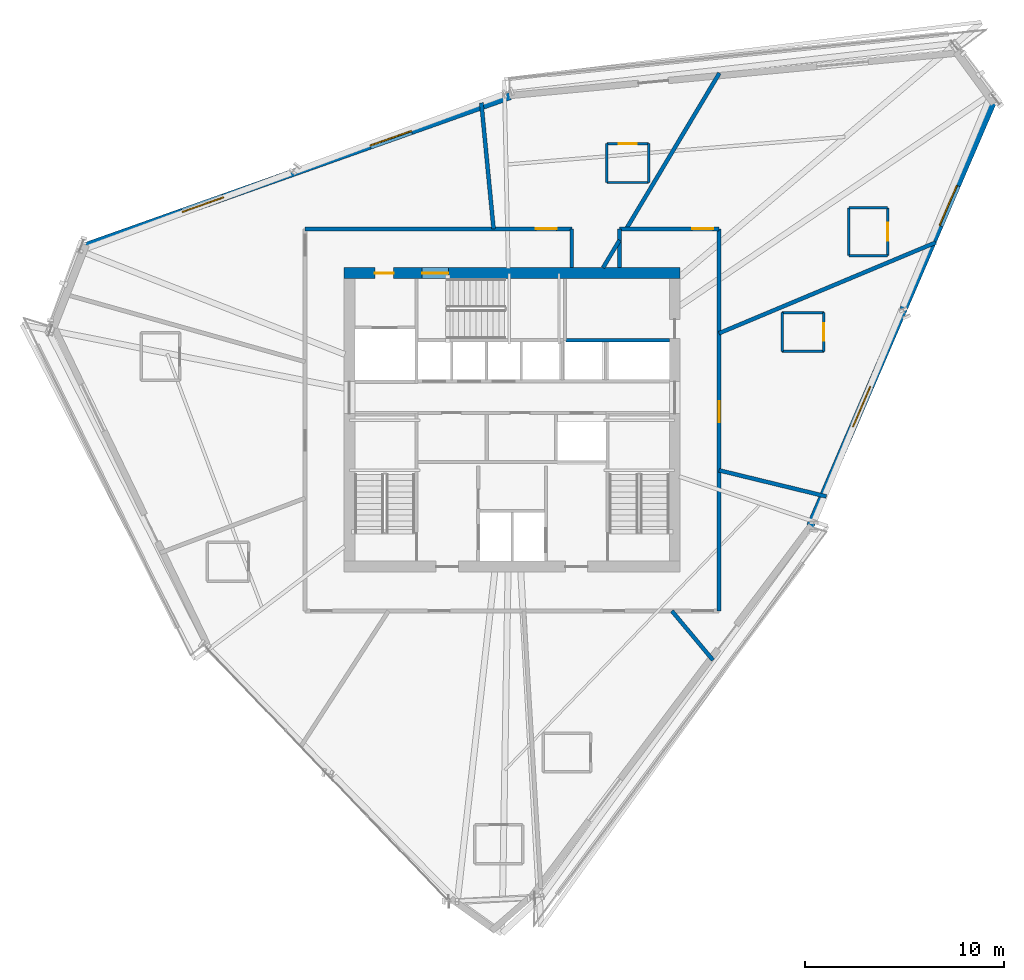
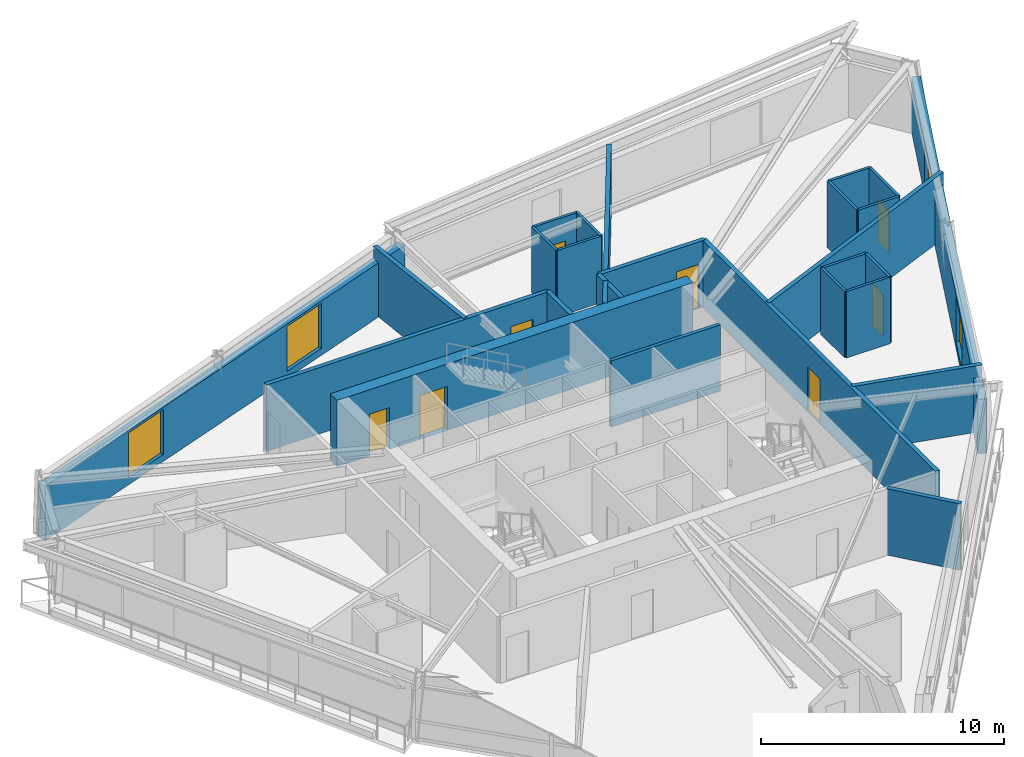
# One storey, part 10 of 14: 27 walls, 8 doors, 4 windows, 12 openings.
"""IFC4 building model written with IfcOpenShell, lengths in metres."""

from ifc_helpers import new_model, si_unit, direction, frame, frame_2d, origin, place, context, subcontext, project, spatial, rectangle, extrude, source, transform, mapped, material, layer, layer_set, type_object, type_shapes, element, fill, save


model = new_model("IFC4")

# Units and contexts
model_context = context("Model", 3, precision=1e-05, world=origin(), true_north=direction((0.0, 1.0)))
body_context = subcontext(model_context, "Body", "Model", "MODEL_VIEW")
ifc_project = project(units=[si_unit("LENGTHUNIT", "METRE"), si_unit("AREAUNIT", "SQUARE_METRE"), si_unit("VOLUMEUNIT", "CUBIC_METRE"), si_unit("PLANEANGLEUNIT", "RADIAN"), si_unit("MASSUNIT", "GRAM", prefix="KILO")], contexts=[model_context])

# Site, building, storey
site_placement = place(None, origin())
site = spatial("IfcSite", under=ifc_project, at=site_placement, CompositionType="ELEMENT")
building_placement = place(site_placement, origin())
building = spatial("IfcBuilding", under=site, at=building_placement, Name="Olszyna Solenne Hotel", CompositionType="ELEMENT")
storey_placement = place(building_placement, frame((0.0, 0.0, 182.10009765625)))
storey = spatial("IfcBuildingStorey", under=building, at=storey_placement, Name="L48", CompositionType="ELEMENT", Elevation=182.10009765625)

# Wall, openings, doors
ifc_material_1 = material(Name="Concrete C50/60", Category="concrete")
ifc_layer_1 = layer(ifc_material_1, 0.550048828125, Name="Concrete C50/60")
ifc_layer_set_1 = layer_set([ifc_layer_1], Name="Concrete C50/60")
wall_type_1 = type_object("IfcWallType", Name="WL-CR550", PredefinedType="SHEAR", material=ifc_layer_set_1)
wall_1_placement = place(storey_placement, frame((29.550048828125, 33.97509765625, 0.0), z_axis=(0.0, 0.0, 1.0), x_axis=(1.0, 0.0, 0.0)))
wall_1 = element("IfcWall", 1, at=wall_1_placement, inside=storey, type_object=wall_type_1, Name="Core shear wall WL-CR550 CRW-L48-N", PredefinedType="SHEAR", context=body_context, shape_type="SweptSolid", body=[
    extrude(rectangle(XDim=16.89990234375, YDim=0.550048828125, at=frame_2d((8.449951171875, 0.0))), origin(), (0.0, 0.0, 1.0), 3.329833984375),
])
opening_1_placement = place(wall_1_placement, frame((1.550048828125, 0.0, 0.0)))
opening_1 = element("IfcOpeningElement", 2, at=opening_1_placement, cuts=wall_1, Name="Opening SVD-L48-01", PredefinedType="OPENING", context=body_context, shape_type="SweptSolid", body=[
    extrude(rectangle(XDim=0.949951171875, YDim=2.10009765625, at=frame_2d((0.47509765625, 1.050048828125))), frame((0.0, 0.28515625, 0.0), z_axis=(0.0, -1.0, 0.0), x_axis=(1.0, 0.0, 0.0)), (0.0, 0.0, 1.0), 0.570068359375),
])
opening_2_placement = place(wall_1_placement, frame((3.929931640625, 0.0, 0.0)))
opening_2 = element("IfcOpeningElement", 3, at=opening_2_placement, cuts=wall_1, Name="Opening STD-L48-03", PredefinedType="OPENING", context=body_context, shape_type="SweptSolid", body=[
    extrude(rectangle(XDim=1.320068359375, YDim=2.199951171875, at=frame_2d((0.66015625, 1.10009765625))), frame((0.0, 0.28515625, 0.0), z_axis=(0.0, -1.0, 0.0), x_axis=(1.0, 0.0, 0.0)), (0.0, 0.0, 1.0), 0.570068359375),
])
ifc_material_2 = material(Name="Steel S355J2", Category="steel")
door_type_1 = type_object("IfcDoorType", Name="DR-ST1", OperationType="NOTDEFINED", PredefinedType="DOOR", material=ifc_material_2)
shared_shape_1 = source(origin(), body_context, "Body", "SweptSolid", [
    extrude(rectangle(XDim=1.320068359375, YDim=2.199951171875, at=frame_2d((0.66015625, 1.10009765625))), frame((0.0, 0.02490234375, 0.0), z_axis=(0.0, -1.0, 0.0), x_axis=(1.0, 0.0, 0.0)), (0.0, 0.0, 1.0), 0.050048828125),
])
type_shapes(door_type_1, [shared_shape_1])
door_1_placement = place(opening_2_placement, origin())
door_1 = element("IfcDoor", 4, at=door_1_placement, inside=storey, type_object=door_type_1, Name="Pressurised exit stair ST3 fire door STD-L48-03", OperationType="SINGLE_SWING_RIGHT", OverallHeight=2.199951171875, OverallWidth=1.320068359375, PredefinedType="DOOR", context=body_context, shape_type="MappedRepresentation", body=[
    mapped(shared_shape_1, transform((0.0, 0.0, 0.0), x_axis=(1.0, 0.0, 0.0), y_axis=(0.0, 1.0, 0.0), z_axis=(0.0, 0.0, 1.0), scale=1.0)),
])
fill(opening_2, door_1)
door_type_2 = type_object("IfcDoorType", Name="DR-SV1", OperationType="NOTDEFINED", PredefinedType="DOOR", material=ifc_material_2)
shared_shape_2 = source(origin(), body_context, "Body", "SweptSolid", [
    extrude(rectangle(XDim=0.949951171875, YDim=2.10009765625, at=frame_2d((0.47509765625, 1.050048828125))), frame((0.0, 0.02490234375, 0.0), z_axis=(0.0, -1.0, 0.0), x_axis=(1.0, 0.0, 0.0)), (0.0, 0.0, 1.0), 0.050048828125),
])
type_shapes(door_type_2, [shared_shape_2])
door_2_placement = place(opening_1_placement, origin())
door_2 = element("IfcDoor", 5, at=door_2_placement, inside=storey, type_object=door_type_2, Name="Service lift lobby fire door SVD-L48-01", OperationType="SINGLE_SWING_LEFT", OverallHeight=2.10009765625, OverallWidth=0.949951171875, PredefinedType="DOOR", context=body_context, shape_type="MappedRepresentation", body=[
    mapped(shared_shape_2, transform((0.0, 0.0, 0.0), x_axis=(1.0, 0.0, 0.0), y_axis=(0.0, 1.0, 0.0), z_axis=(0.0, 0.0, 1.0), scale=1.0)),
])
fill(opening_1, door_2)

# Wall, openings, windows
ifc_material_3 = material(Name="Terracotta cladding on precast concrete C45/55", Category="masonry")
ifc_layer_2 = layer(ifc_material_3, 0.3798828125, Name="Terracotta cladding on precast concrete C45/55")
ifc_layer_set_2 = layer_set([ifc_layer_2], Name="Terracotta cladding on precast concrete C45/55")
wall_type_2 = type_object("IfcWallType", Name="WL-EX380", PredefinedType="SOLIDWALL", material=ifc_layer_set_2)
wall_2_placement = place(storey_placement, frame((16.462890625, 35.293212890625, 0.0), z_axis=(0.0, 0.0, 1.0), x_axis=(0.94274891149, 0.33350335813, 0.0)))
wall_2 = element("IfcWall", 6, at=wall_2_placement, inside=storey, type_object=wall_type_2, Name="Exterior terracotta-precast frame wall WL-EX380 EW-L48-07", PredefinedType="SOLIDWALL", context=body_context, shape_type="SweptSolid", body=[
    extrude(rectangle(XDim=22.743896484375, YDim=0.3798828125, at=frame_2d((11.3720703125, 0.0))), origin(), (0.0, 0.0, 1.0), 2.721923828125),
])
opening_3_placement = place(wall_2_placement, frame((5.26806640625, 0.0, 0.35205078125)))
opening_3 = element("IfcOpeningElement", 7, at=opening_3_placement, cuts=wall_2, Name="Opening WN-L48-303", PredefinedType="OPENING", context=body_context, shape_type="SweptSolid", body=[
    extrude(rectangle(XDim=2.199951171875, YDim=2.25, at=frame_2d((1.10009765625, 1.125))), frame((0.0, 0.199951171875, 0.0), z_axis=(0.0, -1.0, 0.0), x_axis=(1.0, 0.0, 0.0)), (0.0, 0.0, 1.0), 0.39990234375),
])
opening_4_placement = place(wall_2_placement, frame((15.27587890625, 0.0, 0.35205078125)))
opening_4 = element("IfcOpeningElement", 8, at=opening_4_placement, cuts=wall_2, Name="Opening WN-L48-304", PredefinedType="OPENING", context=body_context, shape_type="SweptSolid", body=[
    extrude(rectangle(XDim=2.199951171875, YDim=2.25, at=frame_2d((1.10009765625, 1.125))), frame((0.0, 0.199951171875, 0.0), z_axis=(0.0, -1.0, 0.0), x_axis=(1.0, 0.0, 0.0)), (0.0, 0.0, 1.0), 0.39990234375),
])
ifc_material_4 = material(Name="Low-E triple glazing", Category="glass")
window_type = type_object("IfcWindowType", Name="WN-HT2", PartitioningType="SINGLE_PANEL", PredefinedType="WINDOW", material=ifc_material_4)
shared_shape_3 = source(origin(), body_context, "Body", "SweptSolid", [
    extrude(rectangle(XDim=2.199951171875, YDim=2.25, at=frame_2d((1.10009765625, 1.125))), frame((0.0, 0.030029296875, 0.0), z_axis=(0.0, -1.0, 0.0), x_axis=(1.0, 0.0, 0.0)), (0.0, 0.0, 1.0), 0.06005859375),
])
type_shapes(window_type, [shared_shape_3])
window_1_placement = place(opening_3_placement, origin())
window_1 = element("IfcWindow", 9, at=window_1_placement, inside=storey, type_object=window_type, Name="Exterior facade window WN-HT2 WN-L48-303", OverallHeight=2.25, OverallWidth=2.199951171875, PartitioningType="SINGLE_PANEL", PredefinedType="WINDOW", context=body_context, shape_type="MappedRepresentation", body=[
    mapped(shared_shape_3, transform((0.0, 0.0, 0.0), x_axis=(1.0, 0.0, 0.0), y_axis=(0.0, 1.0, 0.0), z_axis=(0.0, 0.0, 1.0), scale=1.0)),
])
fill(opening_3, window_1)
window_2_placement = place(opening_4_placement, origin())
window_2 = element("IfcWindow", 10, at=window_2_placement, inside=storey, type_object=window_type, Name="Exterior facade window WN-HT2 WN-L48-304", OverallHeight=2.25, OverallWidth=2.199951171875, PartitioningType="SINGLE_PANEL", PredefinedType="WINDOW", context=body_context, shape_type="MappedRepresentation", body=[
    mapped(shared_shape_3, transform((0.0, 0.0, 0.0), x_axis=(1.0, 0.0, 0.0), y_axis=(0.0, 1.0, 0.0), z_axis=(0.0, 0.0, 1.0), scale=1.0)),
])
fill(opening_4, window_2)

wall_3_placement = place(storey_placement, frame((62.205322265625, 42.687744140625, 0.0), z_axis=(0.0, 0.0, 1.0), x_axis=(-0.395471845497, -0.918478099586, 0.0)))
wall_3 = element("IfcWall", 11, at=wall_3_placement, inside=storey, type_object=wall_type_2, Name="Exterior terracotta-precast frame wall WL-EX380 EW-L48-10", PredefinedType="SOLIDWALL", context=body_context, shape_type="SweptSolid", body=[
    extrude(rectangle(XDim=23.31640625, YDim=0.3798828125, at=frame_2d((11.658203125, 0.0))), origin(), (0.0, 0.0, 1.0), 2.721923828125),
])
opening_5_placement = place(wall_3_placement, frame((4.678955078125, 0.0, 0.35205078125)))
opening_5 = element("IfcOpeningElement", 12, at=opening_5_placement, cuts=wall_3, Name="Opening WN-L48-306", PredefinedType="OPENING", context=body_context, shape_type="SweptSolid", body=[
    extrude(rectangle(XDim=2.199951171875, YDim=2.25, at=frame_2d((1.10009765625, 1.125))), frame((0.0, 0.199951171875, 0.0), z_axis=(0.0, -1.0, 0.0), x_axis=(1.0, 0.0, 0.0)), (0.0, 0.0, 1.0), 0.39990234375),
])
opening_6_placement = place(wall_3_placement, frame((15.68798828125, 0.0, 0.35205078125)))
opening_6 = element("IfcOpeningElement", 13, at=opening_6_placement, cuts=wall_3, Name="Opening WN-L48-307", PredefinedType="OPENING", context=body_context, shape_type="SweptSolid", body=[
    extrude(rectangle(XDim=2.199951171875, YDim=2.25, at=frame_2d((1.10009765625, 1.125))), frame((0.0, 0.199951171875, 0.0), z_axis=(0.0, -1.0, 0.0), x_axis=(1.0, 0.0, 0.0)), (0.0, 0.0, 1.0), 0.39990234375),
])
window_3_placement = place(opening_5_placement, origin())
window_3 = element("IfcWindow", 14, at=window_3_placement, inside=storey, type_object=window_type, Name="Exterior facade window WN-HT2 WN-L48-306", OverallHeight=2.25, OverallWidth=2.199951171875, PartitioningType="SINGLE_PANEL", PredefinedType="WINDOW", context=body_context, shape_type="MappedRepresentation", body=[
    mapped(shared_shape_3, transform((0.0, 0.0, 0.0), x_axis=(1.0, 0.0, 0.0), y_axis=(0.0, 1.0, 0.0), z_axis=(0.0, 0.0, 1.0), scale=1.0)),
])
fill(opening_5, window_3)
window_4_placement = place(opening_6_placement, origin())
window_4 = element("IfcWindow", 15, at=window_4_placement, inside=storey, type_object=window_type, Name="Exterior facade window WN-HT2 WN-L48-307", OverallHeight=2.25, OverallWidth=2.199951171875, PartitioningType="SINGLE_PANEL", PredefinedType="WINDOW", context=body_context, shape_type="MappedRepresentation", body=[
    mapped(shared_shape_3, transform((0.0, 0.0, 0.0), x_axis=(1.0, 0.0, 0.0), y_axis=(0.0, 1.0, 0.0), z_axis=(0.0, 0.0, 1.0), scale=1.0)),
])
fill(opening_6, window_4)

# Wall, opening, door
ifc_material_5 = material(Name="Acoustic gypsum partition", Category="gypsum")
ifc_layer_3 = layer(ifc_material_5, 0.125, Name="Acoustic gypsum partition")
ifc_layer_set_3 = layer_set([ifc_layer_3], Name="Acoustic gypsum partition")
wall_type_3 = type_object("IfcWallType", Name="WL-PT125", PredefinedType="PARTITIONING", material=ifc_layer_set_3)
wall_4_placement = place(storey_placement, frame((53.673095703125, 30.0419921875, 0.0), z_axis=(0.0, 0.0, 1.0), x_axis=(0.0, 1.0, 0.0)))
wall_4 = element("IfcWall", 16, at=wall_4_placement, inside=storey, type_object=wall_type_3, Name="Interior acoustic partition WL-PT125 PW-L48-2704", PredefinedType="PARTITIONING", context=body_context, shape_type="SweptSolid", body=[
    extrude(rectangle(XDim=1.949951171875, YDim=0.125, at=frame_2d((0.97509765625, 0.0))), origin(), (0.0, 0.0, 1.0), 3.329833984375),
])
opening_7_placement = place(wall_4_placement, frame((0.52490234375, 0.0, 0.0)))
opening_7 = element("IfcOpeningElement", 17, at=opening_7_placement, cuts=wall_4, Name="Opening DR-L48-0652", PredefinedType="OPENING", context=body_context, shape_type="SweptSolid", body=[
    extrude(rectangle(XDim=0.89990234375, YDim=2.10009765625, at=frame_2d((0.449951171875, 1.050048828125))), frame((0.0, 0.072509765625, 0.0), z_axis=(0.0, -1.0, 0.0), x_axis=(1.0, 0.0, 0.0)), (0.0, 0.0, 1.0), 0.14501953125),
])
ifc_material_6 = material(Name="Timber hardwood", Category="wood")
door_type_3 = type_object("IfcDoorType", Name="DR-WC1", OperationType="NOTDEFINED", PredefinedType="DOOR", material=ifc_material_6)
shared_shape_4 = source(origin(), body_context, "Body", "SweptSolid", [
    extrude(rectangle(XDim=0.89990234375, YDim=2.10009765625, at=frame_2d((0.449951171875, 1.050048828125))), frame((0.0, 0.02490234375, 0.0), z_axis=(0.0, -1.0, 0.0), x_axis=(1.0, 0.0, 0.0)), (0.0, 0.0, 1.0), 0.050048828125),
])
type_shapes(door_type_3, [shared_shape_4])
door_3_placement = place(opening_7_placement, origin())
door_3 = element("IfcDoor", 18, at=door_3_placement, inside=storey, type_object=door_type_3, Name="En-Suite Bathroom Door DR-L48-0652", OperationType="SINGLE_SWING_LEFT", OverallHeight=2.10009765625, OverallWidth=0.89990234375, PredefinedType="DOOR", context=body_context, shape_type="MappedRepresentation", body=[
    mapped(shared_shape_4, transform((0.0, 0.0, 0.0), x_axis=(1.0, 0.0, 0.0), y_axis=(0.0, 1.0, 0.0), z_axis=(0.0, 0.0, 1.0), scale=1.0)),
])
fill(opening_7, door_3)

# Walls
wall_5_placement = place(storey_placement, frame((53.673095703125, 31.991943359375, 0.0), z_axis=(0.0, 0.0, 1.0), x_axis=(-1.0, 0.0, 0.0)))
element("IfcWall", 19, at=wall_5_placement, inside=storey, type_object=wall_type_3, Name="Interior acoustic partition WL-PT125 PW-L48-2705", PredefinedType="PARTITIONING", context=body_context, shape_type="SweptSolid", body=[
    extrude(rectangle(XDim=2.10009765625, YDim=0.125, at=frame_2d((1.050048828125, 0.0))), origin(), (0.0, 0.0, 1.0), 3.329833984375),
])
wall_6_placement = place(storey_placement, frame((51.572998046875, 31.991943359375, 0.0), z_axis=(0.0, 0.0, 1.0), x_axis=(0.0, -1.0, 0.0)))
element("IfcWall", 20, at=wall_6_placement, inside=storey, type_object=wall_type_3, Name="Interior acoustic partition WL-PT125 PW-L48-2706", PredefinedType="PARTITIONING", context=body_context, shape_type="SweptSolid", body=[
    extrude(rectangle(XDim=1.949951171875, YDim=0.125, at=frame_2d((0.97509765625, 0.0))), origin(), (0.0, 0.0, 1.0), 3.329833984375),
])
wall_7_placement = place(storey_placement, frame((51.572998046875, 30.0419921875, 0.0), z_axis=(0.0, 0.0, 1.0), x_axis=(1.0, 0.0, 0.0)))
element("IfcWall", 21, at=wall_7_placement, inside=storey, type_object=wall_type_3, Name="Interior acoustic partition WL-PT125 PW-L48-2707", PredefinedType="PARTITIONING", context=body_context, shape_type="SweptSolid", body=[
    extrude(rectangle(XDim=2.10009765625, YDim=0.125, at=frame_2d((1.050048828125, 0.0))), origin(), (0.0, 0.0, 1.0), 3.329833984375),
])

# Wall, opening, door
wall_8_placement = place(storey_placement, frame((56.8701171875, 34.85107421875, 0.0), z_axis=(0.0, 0.0, 1.0), x_axis=(0.0, 1.0, 0.0)))
wall_8 = element("IfcWall", 22, at=wall_8_placement, inside=storey, type_object=wall_type_3, Name="Interior acoustic partition WL-PT125 PW-L48-2708", PredefinedType="PARTITIONING", context=body_context, shape_type="SweptSolid", body=[
    extrude(rectangle(XDim=2.39990234375, YDim=0.125, at=frame_2d((1.199951171875, 0.0))), origin(), (0.0, 0.0, 1.0), 3.329833984375),
])
opening_8_placement = place(wall_8_placement, frame((0.75, 0.0, 0.0)))
opening_8 = element("IfcOpeningElement", 23, at=opening_8_placement, cuts=wall_8, Name="Opening DR-L48-0653", PredefinedType="OPENING", context=body_context, shape_type="SweptSolid", body=[
    extrude(rectangle(XDim=0.89990234375, YDim=2.10009765625, at=frame_2d((0.449951171875, 1.050048828125))), frame((0.0, 0.072509765625, 0.0), z_axis=(0.0, -1.0, 0.0), x_axis=(1.0, 0.0, 0.0)), (0.0, 0.0, 1.0), 0.14501953125),
])
door_4_placement = place(opening_8_placement, origin())
door_4 = element("IfcDoor", 24, at=door_4_placement, inside=storey, type_object=door_type_3, Name="En-Suite Bathroom Door DR-L48-0653", OperationType="SINGLE_SWING_LEFT", OverallHeight=2.10009765625, OverallWidth=0.89990234375, PredefinedType="DOOR", context=body_context, shape_type="MappedRepresentation", body=[
    mapped(shared_shape_4, transform((0.0, 0.0, 0.0), x_axis=(1.0, 0.0, 0.0), y_axis=(0.0, 1.0, 0.0), z_axis=(0.0, 0.0, 1.0), scale=1.0)),
])
fill(opening_8, door_4)

# Walls
wall_9_placement = place(storey_placement, frame((56.8701171875, 37.2509765625, 0.0), z_axis=(0.0, 0.0, 1.0), x_axis=(-1.0, 0.0, 0.0)))
element("IfcWall", 25, at=wall_9_placement, inside=storey, type_object=wall_type_3, Name="Interior acoustic partition WL-PT125 PW-L48-2709", PredefinedType="PARTITIONING", context=body_context, shape_type="SweptSolid", body=[
    extrude(rectangle(XDim=1.9501953125, YDim=0.125, at=frame_2d((0.97509765625, 0.0))), origin(), (0.0, 0.0, 1.0), 3.329833984375),
])
wall_10_placement = place(storey_placement, frame((54.919921875, 37.2509765625, 0.0), z_axis=(0.0, 0.0, 1.0), x_axis=(0.0, -1.0, 0.0)))
element("IfcWall", 26, at=wall_10_placement, inside=storey, type_object=wall_type_3, Name="Interior acoustic partition WL-PT125 PW-L48-2710", PredefinedType="PARTITIONING", context=body_context, shape_type="SweptSolid", body=[
    extrude(rectangle(XDim=2.39990234375, YDim=0.125, at=frame_2d((1.199951171875, 0.0))), origin(), (0.0, 0.0, 1.0), 3.329833984375),
])
wall_11_placement = place(storey_placement, frame((54.919921875, 34.85107421875, 0.0), z_axis=(0.0, 0.0, 1.0), x_axis=(1.0, 0.0, 0.0)))
element("IfcWall", 27, at=wall_11_placement, inside=storey, type_object=wall_type_3, Name="Interior acoustic partition WL-PT125 PW-L48-2711", PredefinedType="PARTITIONING", context=body_context, shape_type="SweptSolid", body=[
    extrude(rectangle(XDim=1.9501953125, YDim=0.125, at=frame_2d((0.97509765625, 0.0))), origin(), (0.0, 0.0, 1.0), 3.329833984375),
])
wall_12_placement = place(storey_placement, frame((44.862060546875, 38.531982421875, 0.0), z_axis=(0.0, 0.0, 1.0), x_axis=(0.0, 1.0, 0.0)))
element("IfcWall", 28, at=wall_12_placement, inside=storey, type_object=wall_type_3, Name="Interior acoustic partition WL-PT125 PW-L48-2712", PredefinedType="PARTITIONING", context=body_context, shape_type="SweptSolid", body=[
    extrude(rectangle(XDim=1.949951171875, YDim=0.125, at=frame_2d((0.97509765625, 0.0))), origin(), (0.0, 0.0, 1.0), 3.329833984375),
])

# Wall, opening, door
wall_13_placement = place(storey_placement, frame((44.862060546875, 40.48193359375, 0.0), z_axis=(0.0, 0.0, 1.0), x_axis=(-1.0, 0.0, 0.0)))
wall_13 = element("IfcWall", 29, at=wall_13_placement, inside=storey, type_object=wall_type_3, Name="Interior acoustic partition WL-PT125 PW-L48-2713", PredefinedType="PARTITIONING", context=body_context, shape_type="SweptSolid", body=[
    extrude(rectangle(XDim=2.10009765625, YDim=0.125, at=frame_2d((1.050048828125, 0.0))), origin(), (0.0, 0.0, 1.0), 3.329833984375),
])
opening_9_placement = place(wall_13_placement, frame((0.60009765625, 0.0, 0.0)))
opening_9 = element("IfcOpeningElement", 30, at=opening_9_placement, cuts=wall_13, Name="Opening DR-L48-0654", PredefinedType="OPENING", context=body_context, shape_type="SweptSolid", body=[
    extrude(rectangle(XDim=0.89990234375, YDim=2.10009765625, at=frame_2d((0.449951171875, 1.050048828125))), frame((0.0, 0.072509765625, 0.0), z_axis=(0.0, -1.0, 0.0), x_axis=(1.0, 0.0, 0.0)), (0.0, 0.0, 1.0), 0.14501953125),
])
door_5_placement = place(opening_9_placement, origin())
door_5 = element("IfcDoor", 31, at=door_5_placement, inside=storey, type_object=door_type_3, Name="En-Suite Bathroom Door DR-L48-0654", OperationType="SINGLE_SWING_RIGHT", OverallHeight=2.10009765625, OverallWidth=0.89990234375, PredefinedType="DOOR", context=body_context, shape_type="MappedRepresentation", body=[
    mapped(shared_shape_4, transform((0.0, 0.0, 0.0), x_axis=(1.0, 0.0, 0.0), y_axis=(0.0, 1.0, 0.0), z_axis=(0.0, 0.0, 1.0), scale=1.0)),
])
fill(opening_9, door_5)

# Walls
wall_14_placement = place(storey_placement, frame((42.761962890625, 40.48193359375, 0.0), z_axis=(0.0, 0.0, 1.0), x_axis=(0.0, -1.0, 0.0)))
element("IfcWall", 32, at=wall_14_placement, inside=storey, type_object=wall_type_3, Name="Interior acoustic partition WL-PT125 PW-L48-2714", PredefinedType="PARTITIONING", context=body_context, shape_type="SweptSolid", body=[
    extrude(rectangle(XDim=1.949951171875, YDim=0.125, at=frame_2d((0.97509765625, 0.0))), origin(), (0.0, 0.0, 1.0), 3.329833984375),
])
wall_15_placement = place(storey_placement, frame((42.761962890625, 38.531982421875, 0.0), z_axis=(0.0, 0.0, 1.0), x_axis=(1.0, 0.0, 0.0)))
element("IfcWall", 33, at=wall_15_placement, inside=storey, type_object=wall_type_3, Name="Interior acoustic partition WL-PT125 PW-L48-2715", PredefinedType="PARTITIONING", context=body_context, shape_type="SweptSolid", body=[
    extrude(rectangle(XDim=2.10009765625, YDim=0.125, at=frame_2d((1.050048828125, 0.0))), origin(), (0.0, 0.0, 1.0), 3.329833984375),
])
ifc_layer_4 = layer(ifc_material_5, 0.159912109375, Name="Acoustic gypsum partition")
ifc_layer_set_4 = layer_set([ifc_layer_4], Name="Acoustic gypsum partition")
wall_type_4 = type_object("IfcWallType", Name="WL-PT160", PredefinedType="PARTITIONING", material=ifc_layer_set_4)
wall_16_placement = place(storey_placement, frame((40.719970703125, 30.60009765625, 0.0), z_axis=(0.0, 0.0, 1.0), x_axis=(1.0, 0.0, 0.0)))
element("IfcWall", 34, at=wall_16_placement, inside=storey, type_object=wall_type_4, Name="Core shaft compartment wall CW-L48-LRNTOP", PredefinedType="PARTITIONING", context=body_context, shape_type="SweptSolid", body=[
    extrude(rectangle(XDim=5.179931640625, YDim=0.159912109375, at=frame_2d((2.58984375, 0.0))), origin(), (0.0, 0.0, 1.0), 3.329833984375),
])
ifc_layer_5 = layer(ifc_material_5, 0.199951171875, Name="Acoustic gypsum partition")
ifc_layer_set_5 = layer_set([ifc_layer_5], Name="Acoustic gypsum partition")
wall_type_5 = type_object("IfcWallType", Name="WL-PT200", PredefinedType="PARTITIONING", material=ifc_layer_set_5)
wall_17_placement = place(storey_placement, frame((46.03076171875, 17.0, 0.0), z_axis=(0.0, 0.0, 1.0), x_axis=(0.641652542472, -0.766995446361, 0.0)))
element("IfcWall", 35, at=wall_17_placement, inside=storey, type_object=wall_type_5, Name="Interior acoustic partition WL-PT200 PW-L48-2685", PredefinedType="PARTITIONING", context=body_context, shape_type="SweptSolid", body=[
    extrude(rectangle(XDim=3.2197265625, YDim=0.199951171875, at=frame_2d((1.60986328125, 0.0))), origin(), (0.0, 0.0, 1.0), 3.329833984375),
])
wall_18_placement = place(storey_placement, frame((48.39990234375, 24.068115234375, 0.0), z_axis=(0.0, 0.0, 1.0), x_axis=(0.971626118901, -0.23652206043, 0.0)))
element("IfcWall", 36, at=wall_18_placement, inside=storey, type_object=wall_type_5, Name="Interior acoustic partition WL-PT200 PW-L48-2686", PredefinedType="PARTITIONING", context=body_context, shape_type="SweptSolid", body=[
    extrude(rectangle(XDim=5.554443359375, YDim=0.199951171875, at=frame_2d((2.77734375, 0.0))), origin(), (0.0, 0.0, 1.0), 3.329833984375),
])
wall_19_placement = place(storey_placement, frame((48.39990234375, 30.955078125, 0.0), z_axis=(0.0, 0.0, 1.0), x_axis=(0.922383605096, 0.386275141641, 0.0)))
element("IfcWall", 37, at=wall_19_placement, inside=storey, type_object=wall_type_5, Name="Interior acoustic partition WL-PT200 PW-L48-2687", PredefinedType="PARTITIONING", context=body_context, shape_type="SweptSolid", body=[
    extrude(rectangle(XDim=11.808349609375, YDim=0.199951171875, at=frame_2d((5.904296875, 0.0))), origin(), (0.0, 0.0, 1.0), 3.329833984375),
])
wall_20_placement = place(storey_placement, frame((42.573486328125, 34.25, 0.0), z_axis=(0.0, 0.0, 1.0), x_axis=(0.513135248782, 0.858307763251, 0.0)))
element("IfcWall", 38, at=wall_20_placement, inside=storey, type_object=wall_type_5, Name="Interior acoustic partition WL-PT200 PW-L48-2688", PredefinedType="PARTITIONING", context=body_context, shape_type="SweptSolid", body=[
    extrude(rectangle(XDim=1.610595703125, YDim=0.199951171875, at=frame_2d((0.80517578125, 0.0))), origin(), (0.0, 0.0, 1.0), 3.329833984375),
])
wall_21_placement = place(storey_placement, frame((43.7392578125, 36.199951171875, 0.0), z_axis=(0.0, 0.0, 1.0), x_axis=(0.51314560482, 0.858301571858, 0.0)))
element("IfcWall", 39, at=wall_21_placement, inside=storey, type_object=wall_type_5, Name="Interior acoustic partition WL-PT200 PW-L48-2689", PredefinedType="PARTITIONING", context=body_context, shape_type="SweptSolid", body=[
    extrude(rectangle(XDim=9.125244140625, YDim=0.199951171875, at=frame_2d((4.5625, 0.0))), origin(), (0.0, 0.0, 1.0), 3.329833984375),
])
wall_22_placement = place(storey_placement, frame((37.0703125, 36.199951171875, 0.0), z_axis=(0.0, 0.0, 1.0), x_axis=(-0.096381803704, 0.995344436823, 0.0)))
element("IfcWall", 40, at=wall_22_placement, inside=storey, type_object=wall_type_5, Name="Interior acoustic partition WL-PT200 PW-L48-2690", PredefinedType="PARTITIONING", context=body_context, shape_type="SweptSolid", body=[
    extrude(rectangle(XDim=6.365478515625, YDim=0.199951171875, at=frame_2d((3.1826171875, 0.0))), origin(), (0.0, 0.0, 1.0), 3.329833984375),
])

# Wall, opening, door
wall_23_placement = place(storey_placement, frame((27.60009765625, 36.199951171875, 0.0), z_axis=(0.0, 0.0, 1.0), x_axis=(1.0, 0.0, 0.0)))
wall_23 = element("IfcWall", 41, at=wall_23_placement, inside=storey, type_object=wall_type_5, Name="Interior acoustic partition WL-PT200 PW-L48-2722", PredefinedType="PARTITIONING", context=body_context, shape_type="SweptSolid", body=[
    extrude(rectangle(XDim=13.39990234375, YDim=0.199951171875, at=frame_2d((6.699951171875, 0.0))), origin(), (0.0, 0.0, 1.0), 3.329833984375),
])
opening_10_placement = place(wall_23_placement, frame((11.591064453125, 0.0, 0.0)))
opening_10 = element("IfcOpeningElement", 42, at=opening_10_placement, cuts=wall_23, Name="Opening DR-L48-0662", PredefinedType="OPENING", context=body_context, shape_type="SweptSolid", body=[
    extrude(rectangle(XDim=1.050048828125, YDim=2.199951171875, at=frame_2d((0.52490234375, 1.10009765625))), frame((0.0, 0.10986328125, 0.0), z_axis=(0.0, -1.0, 0.0), x_axis=(1.0, 0.0, 0.0)), (0.0, 0.0, 1.0), 0.219970703125),
])
door_type_4 = type_object("IfcDoorType", Name="DR-RM2", OperationType="NOTDEFINED", PredefinedType="DOOR", material=ifc_material_6)
shared_shape_5 = source(origin(), body_context, "Body", "SweptSolid", [
    extrude(rectangle(XDim=1.050048828125, YDim=2.199951171875, at=frame_2d((0.52490234375, 1.10009765625))), frame((0.0, 0.02490234375, 0.0), z_axis=(0.0, -1.0, 0.0), x_axis=(1.0, 0.0, 0.0)), (0.0, 0.0, 1.0), 0.050048828125),
])
type_shapes(door_type_4, [shared_shape_5])
door_6_placement = place(opening_10_placement, origin())
door_6 = element("IfcDoor", 43, at=door_6_placement, inside=storey, type_object=door_type_4, Name="Deluxe Hotel Guestroom Entrance Door DR-L48-0662", OperationType="SINGLE_SWING_LEFT", OverallHeight=2.199951171875, OverallWidth=1.050048828125, PredefinedType="DOOR", context=body_context, shape_type="MappedRepresentation", body=[
    mapped(shared_shape_5, transform((0.0, 0.0, 0.0), x_axis=(1.0, 0.0, 0.0), y_axis=(0.0, 1.0, 0.0), z_axis=(0.0, 0.0, 1.0), scale=1.0)),
])
fill(opening_10, door_6)

# Wall
wall_24_placement = place(storey_placement, frame((41.0, 34.25, 0.0), z_axis=(0.0, 0.0, 1.0), x_axis=(0.0, 1.0, 0.0)))
element("IfcWall", 44, at=wall_24_placement, inside=storey, type_object=wall_type_5, Name="Interior acoustic partition WL-PT200 PW-L48-2723", PredefinedType="PARTITIONING", context=body_context, shape_type="SweptSolid", body=[
    extrude(rectangle(XDim=1.949951171875, YDim=0.199951171875, at=frame_2d((0.97509765625, 0.0))), origin(), (0.0, 0.0, 1.0), 3.329833984375),
])

# Wall, opening, door
wall_25_placement = place(storey_placement, frame((43.39990234375, 36.199951171875, 0.0), z_axis=(0.0, 0.0, 1.0), x_axis=(1.0, 0.0, 0.0)))
wall_25 = element("IfcWall", 45, at=wall_25_placement, inside=storey, type_object=wall_type_5, Name="Interior acoustic partition WL-PT200 PW-L48-2724", PredefinedType="PARTITIONING", context=body_context, shape_type="SweptSolid", body=[
    extrude(rectangle(XDim=5.0, YDim=0.199951171875, at=frame_2d((2.5, 0.0))), origin(), (0.0, 0.0, 1.0), 3.329833984375),
])
opening_11_placement = place(wall_25_placement, frame((3.64990234375, 0.0, 0.0)))
opening_11 = element("IfcOpeningElement", 46, at=opening_11_placement, cuts=wall_25, Name="Opening DR-L48-0663", PredefinedType="OPENING", context=body_context, shape_type="SweptSolid", body=[
    extrude(rectangle(XDim=1.050048828125, YDim=2.199951171875, at=frame_2d((0.52490234375, 1.10009765625))), frame((0.0, 0.10986328125, 0.0), z_axis=(0.0, -1.0, 0.0), x_axis=(1.0, 0.0, 0.0)), (0.0, 0.0, 1.0), 0.219970703125),
])
door_7_placement = place(opening_11_placement, origin())
door_7 = element("IfcDoor", 47, at=door_7_placement, inside=storey, type_object=door_type_4, Name="Deluxe Hotel Guestroom Entrance Door DR-L48-0663", OperationType="SINGLE_SWING_RIGHT", OverallHeight=2.199951171875, OverallWidth=1.050048828125, PredefinedType="DOOR", context=body_context, shape_type="MappedRepresentation", body=[
    mapped(shared_shape_5, transform((0.0, 0.0, 0.0), x_axis=(1.0, 0.0, 0.0), y_axis=(0.0, 1.0, 0.0), z_axis=(0.0, 0.0, 1.0), scale=1.0)),
])
fill(opening_11, door_7)

# Wall
wall_26_placement = place(storey_placement, frame((43.39990234375, 34.25, 0.0), z_axis=(0.0, 0.0, 1.0), x_axis=(0.0, 1.0, 0.0)))
element("IfcWall", 48, at=wall_26_placement, inside=storey, type_object=wall_type_5, Name="Interior acoustic partition WL-PT200 PW-L48-2725", PredefinedType="PARTITIONING", context=body_context, shape_type="SweptSolid", body=[
    extrude(rectangle(XDim=1.949951171875, YDim=0.199951171875, at=frame_2d((0.97509765625, 0.0))), origin(), (0.0, 0.0, 1.0), 3.329833984375),
])

# Wall, opening, door
wall_27_placement = place(storey_placement, frame((48.39990234375, 17.0, 0.0), z_axis=(0.0, 0.0, 1.0), x_axis=(0.0, 1.0, 0.0)))
wall_27 = element("IfcWall", 49, at=wall_27_placement, inside=storey, type_object=wall_type_5, Name="Interior acoustic partition WL-PT200 PW-L48-2726", PredefinedType="PARTITIONING", context=body_context, shape_type="SweptSolid", body=[
    extrude(rectangle(XDim=19.199951171875, YDim=0.199951171875, at=frame_2d((9.60009765625, 0.0))), origin(), (0.0, 0.0, 1.0), 3.329833984375),
])
opening_12_placement = place(wall_27_placement, frame((9.47802734375, 0.0, 0.0)))
opening_12 = element("IfcOpeningElement", 50, at=opening_12_placement, cuts=wall_27, Name="Opening DR-L48-0664", PredefinedType="OPENING", context=body_context, shape_type="SweptSolid", body=[
    extrude(rectangle(XDim=1.050048828125, YDim=2.199951171875, at=frame_2d((0.52490234375, 1.10009765625))), frame((0.0, 0.10986328125, 0.0), z_axis=(0.0, -1.0, 0.0), x_axis=(1.0, 0.0, 0.0)), (0.0, 0.0, 1.0), 0.219970703125),
])
door_8_placement = place(opening_12_placement, origin())
door_8 = element("IfcDoor", 51, at=door_8_placement, inside=storey, type_object=door_type_4, Name="Deluxe Hotel Guestroom Entrance Door DR-L48-0664", OperationType="SINGLE_SWING_LEFT", OverallHeight=2.199951171875, OverallWidth=1.050048828125, PredefinedType="DOOR", context=body_context, shape_type="MappedRepresentation", body=[
    mapped(shared_shape_5, transform((0.0, 0.0, 0.0), x_axis=(1.0, 0.0, 0.0), y_axis=(0.0, 1.0, 0.0), z_axis=(0.0, 0.0, 1.0), scale=1.0)),
])
fill(opening_12, door_8)

save(model, "model.ifc")
